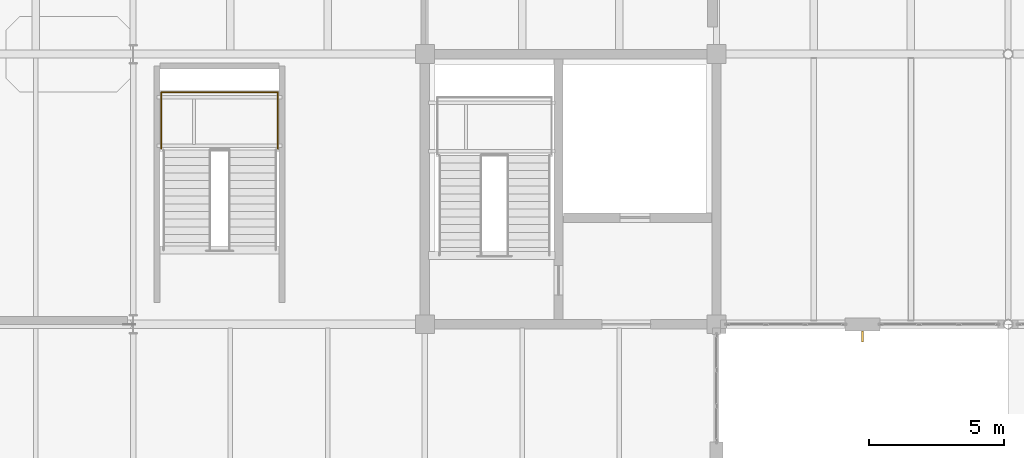
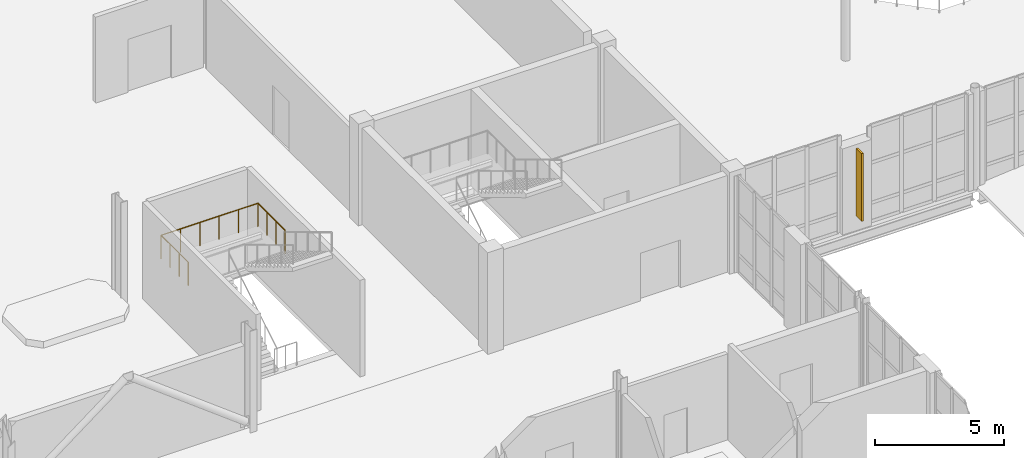
# One storey, part 84 of 92: 1 railing, 1 shading device.
"""IFC4 building model written with IfcOpenShell, lengths in metres."""

from ifc_helpers import new_model, si_unit, direction, frame, origin, origin_2d, place, context, subcontext, project, spatial, rectangle, circle, extrude, material, type_object, element, save


model = new_model("IFC4")

# Units and contexts
model_context = context("Model", 3, precision=1e-05, world=origin(), true_north=direction((0.0, 1.0)))
body_context = subcontext(model_context, "Body", "Model", "MODEL_VIEW")
ifc_project = project(units=[si_unit("LENGTHUNIT", "METRE"), si_unit("AREAUNIT", "SQUARE_METRE"), si_unit("VOLUMEUNIT", "CUBIC_METRE"), si_unit("PLANEANGLEUNIT", "RADIAN"), si_unit("MASSUNIT", "GRAM", prefix="KILO")], contexts=[model_context])

# Site, building, storey
site_placement = place(None, origin())
site = spatial("IfcSite", under=ifc_project, at=site_placement, CompositionType="ELEMENT")
building_placement = place(site_placement, origin())
building = spatial("IfcBuilding", under=site, at=building_placement, Name="Tasgan Crest Museum", CompositionType="ELEMENT")
storey_placement = place(building_placement, frame((0.0, 0.0, 4.800048828125)))
storey = spatial("IfcBuildingStorey", under=building, at=storey_placement, Name="L01", CompositionType="ELEMENT", Elevation=4.800048828125)

# Railing
ifc_material_1 = material(Name="Brushed Bronze and Toughened Glass", Category="glass")
railing_type = type_object("IfcRailingType", Name="RL-INT-GUARD-1120", PredefinedType="GUARDRAIL", material=ifc_material_1)
railing_placement = place(storey_placement, frame((33.43994140625, 46.4951171875, 2.39990234375)))
element("IfcRailing", 1, at=railing_placement, inside=storey, type_object=railing_type, Name="Stair half-landing perimeter guard ST-GP-L01 T1", PredefinedType="GUARDRAIL", context=body_context, shape_type="SweptSolid", body=[
    extrude(circle(Radius=0.02392578125, at=origin_2d()), frame((0.0, 0.0, 1.09619140625), z_axis=(0.0, 1.0, 0.0), x_axis=(-1.0, 0.0, 0.0)), (0.0, 0.0, 1.0), 2.099853515625),
    extrude(circle(Radius=0.02392578125, at=origin_2d()), frame((0.0, 2.099853515625, 1.09619140625), z_axis=(1.0, 0.0, 0.0), x_axis=(0.0, 1.0, 0.0)), (0.0, 0.0, 1.0), 4.320068359375),
    extrude(circle(Radius=0.02392578125, at=origin_2d()), frame((4.320068359375, 2.099853515625, 1.09619140625), z_axis=(0.0, -1.0, 0.0), x_axis=(1.0, 0.0, 0.0)), (0.0, 0.0, 1.0), 2.099853515625),
    extrude(circle(Radius=0.02099609375, at=origin_2d()), origin(), (0.0, 0.0, 1.0), 1.072021484375),
    extrude(circle(Radius=0.02099609375, at=origin_2d()), frame((0.0, 0.699951171875, 0.0)), (0.0, 0.0, 1.0), 1.072021484375),
    extrude(circle(Radius=0.02099609375, at=origin_2d()), frame((0.0, 1.39990234375, 0.0)), (0.0, 0.0, 1.0), 1.072021484375),
    extrude(circle(Radius=0.02099609375, at=origin_2d()), frame((0.0, 2.099853515625, 0.0)), (0.0, 0.0, 1.0), 1.072021484375),
    extrude(circle(Radius=0.02099609375, at=origin_2d()), frame((0.864013671875, 2.099853515625, 0.0)), (0.0, 0.0, 1.0), 1.072021484375),
    extrude(circle(Radius=0.02099609375, at=origin_2d()), frame((1.72802734375, 2.099853515625, 0.0)), (0.0, 0.0, 1.0), 1.072021484375),
    extrude(circle(Radius=0.02099609375, at=origin_2d()), frame((2.592041015625, 2.099853515625, 0.0)), (0.0, 0.0, 1.0), 1.072021484375),
    extrude(circle(Radius=0.02099609375, at=origin_2d()), frame((3.4560546875, 2.099853515625, 0.0)), (0.0, 0.0, 1.0), 1.072021484375),
    extrude(circle(Radius=0.02099609375, at=origin_2d()), frame((4.320068359375, 2.099853515625, 0.0)), (0.0, 0.0, 1.0), 1.072021484375),
    extrude(circle(Radius=0.02099609375, at=origin_2d()), frame((4.320068359375, 1.39990234375, 0.0)), (0.0, 0.0, 1.0), 1.072021484375),
    extrude(circle(Radius=0.02099609375, at=origin_2d()), frame((4.320068359375, 0.699951171875, 0.0)), (0.0, 0.0, 1.0), 1.072021484375),
    extrude(circle(Radius=0.02099609375, at=origin_2d()), frame((4.320068359375, 0.0, 0.0)), (0.0, 0.0, 1.0), 1.072021484375),
])

# Shading device
ifc_material_2 = material(Name="Anodised Bronze Aluminium", Category="aluminium")
shading_device_type = type_object("IfcShadingDeviceType", Name="SH-FIN-V400", PredefinedType="JALOUSIE", material=ifc_material_2)
shading_device_placement = place(storey_placement, frame((59.39990234375, 39.550048828125, 0.68017578125), z_axis=(0.0, 0.0, 1.0), x_axis=(1.0, 0.0, 0.0)))
element("IfcShadingDevice", 2, at=shading_device_placement, inside=storey, type_object=shading_device_type, Name="Facade pier solar fin L01", PredefinedType="JALOUSIE", context=body_context, shape_type="SweptSolid", body=[
    extrude(rectangle(XDim=0.080078125, YDim=0.419921875, at=origin_2d()), origin(), (0.0, 0.0, 1.0), 3.199951171875),
])

save(model, "model.ifc")
